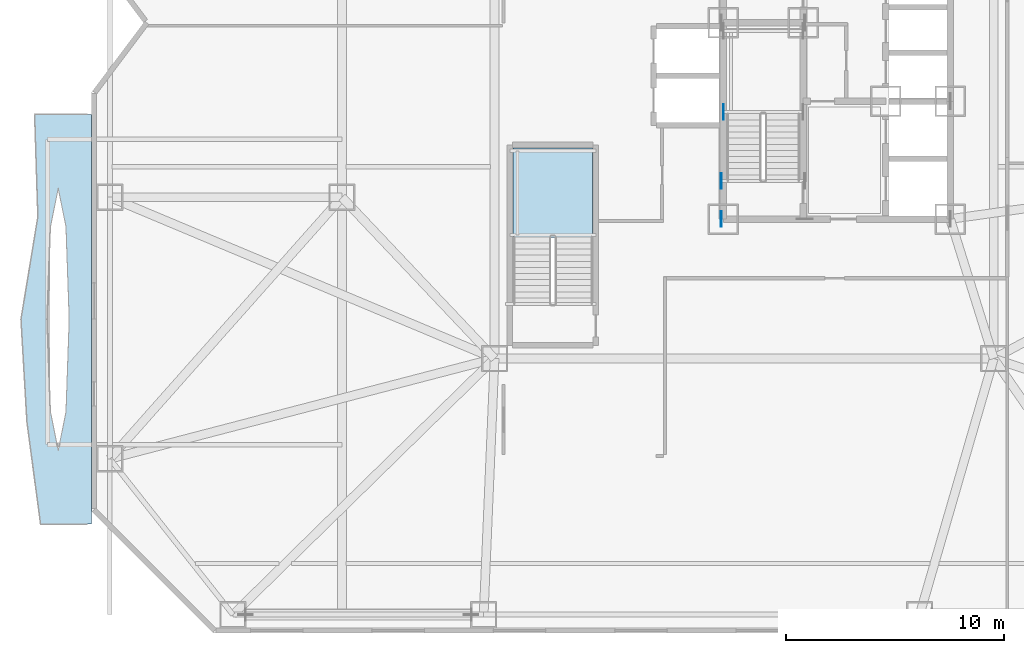
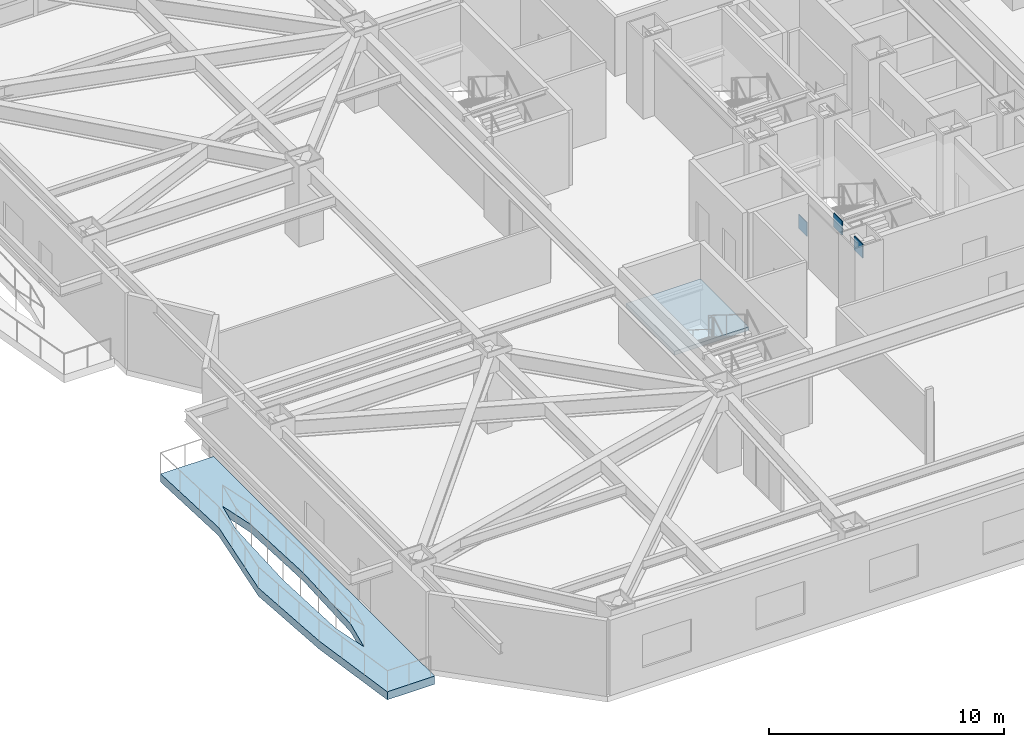
# One storey, part 9 of 25: 3 plates, 2 slabs, 1 element without a shape of its own.
"""IFC4 building model written with IfcOpenShell, lengths in metres."""

import ifcopenshell
import ifcopenshell.guid

model = None  # the IFC model being written
_history = None  # IfcOwnerHistory: only IFC2X3 demands one
_inside = {}  # id of a spatial element -> (the spatial element, [elements in it])
_under = {}  # id of a project, library or spatial element -> (it, [spatial elements below it])
_declared = {}  # id of a project -> (the project, [libraries it declares])
_typed = {}  # id of a type object -> (the type object, [elements of that type])
_made_of = {}  # id of a material, layer set ... -> (it, [elements and type objects made of it])


def new_model(schema):
    """Start an empty IFC model of exactly this schema.

    Asked for "IFC4X3", IfcOpenShell would pick the latest addendum, in which some entities
    have other attributes; the version numbers below select the first issue.
    IFC2X3 requires an IfcOwnerHistory on every rooted entity: one is made here for all.
    """
    global model, _history
    if schema == "IFC4X3":
        model = ifcopenshell.file(schema_version=(4, 3, 0, 0))
    else:
        model = ifcopenshell.file(schema=schema)
    _inside.clear()
    _under.clear()
    _declared.clear()
    _typed.clear()
    _made_of.clear()
    _history = None
    if model.schema == "IFC2X3":
        org = make("IfcOrganization", Name="unknown")
        user = make(
            "IfcPersonAndOrganization",
            ThePerson=make("IfcPerson", FamilyName="unknown"),
            TheOrganization=org,
        )
        app = make(
            "IfcApplication",
            ApplicationDeveloper=org,
            Version="unknown",
            ApplicationFullName="unknown",
            ApplicationIdentifier="unknown",
        )
        _history = make(
            "IfcOwnerHistory",
            OwningUser=user,
            OwningApplication=app,
            ChangeAction="ADDED",
            CreationDate=0,
        )
    return model


def make(cls, **values):
    """One entity of the class cls with the attributes given. An attribute that is None is left unset."""
    return model.create_entity(
        cls, **{name: value for name, value in values.items() if value is not None}
    )


def rooted(cls, **values):
    """An entity with a GlobalId (a new one), such as an element, a storey or a relation."""
    return make(cls, GlobalId=ifcopenshell.guid.new(), OwnerHistory=_history, **values)


def si_unit(unit_type, name, prefix=None):
    """IfcSIUnit, for example si_unit("LENGTHUNIT", "METRE", prefix="MILLI")."""
    return make("IfcSIUnit", UnitType=unit_type, Prefix=prefix, Name=name)


def assignment(units):
    """IfcUnitAssignment: the units of a project."""
    return None if units is None else make("IfcUnitAssignment", Units=units)


def point(xyz):
    """IfcCartesianPoint."""
    return None if xyz is None else make("IfcCartesianPoint", Coordinates=xyz)


def direction(xyz):
    """IfcDirection."""
    return None if xyz is None else make("IfcDirection", DirectionRatios=xyz)


def frame(location, z_axis=None, x_axis=None):
    """IfcAxis2Placement3D, a coordinate frame: its origin and axes. An axis left out is left unset."""
    return make(
        "IfcAxis2Placement3D",
        Location=point(location),
        Axis=direction(z_axis),
        RefDirection=direction(x_axis),
    )


def frame_2d(location, x_axis=None):
    """IfcAxis2Placement2D, a coordinate frame in the plane: its origin and x axis."""
    return make(
        "IfcAxis2Placement2D", Location=point(location), RefDirection=direction(x_axis)
    )


def origin():
    """The frame at (0, 0, 0) with its axes left unset."""
    return frame((0.0, 0.0, 0.0))


def origin_2d():
    """The frame at (0, 0) in the plane with its x axis left unset."""
    return frame_2d((0.0, 0.0))


def place(relative_to, where):
    """IfcLocalPlacement: puts the frame where relative to a parent placement (None: the world)."""
    return make(
        "IfcLocalPlacement", PlacementRelTo=relative_to, RelativePlacement=where
    )


def context(
    kind, dimensions, precision=None, world=None, true_north=None, identifier=None
):
    """IfcGeometricRepresentationContext, for example the 3D "Model" context."""
    return make(
        "IfcGeometricRepresentationContext",
        ContextIdentifier=identifier,
        ContextType=kind,
        CoordinateSpaceDimension=dimensions,
        Precision=precision,
        WorldCoordinateSystem=world,
        TrueNorth=true_north,
    )


def subcontext(parent, identifier, kind, view, scale=None):
    """IfcGeometricRepresentationSubContext, for example "Body" below "Model"."""
    return make(
        "IfcGeometricRepresentationSubContext",
        ContextIdentifier=identifier,
        ContextType=kind,
        ParentContext=parent,
        TargetScale=scale,
        TargetView=view,
    )


def project(units=None, contexts=None):
    """IfcProject with its units and contexts."""
    return rooted(
        "IfcProject",
        Name="project",
        RepresentationContexts=contexts,
        UnitsInContext=assignment(units),
    )


def spatial(cls, under=None, at=None, **own):
    """A site, building, storey or space (cls), placed at a placement, below another one or the project."""
    s = rooted(cls, ObjectPlacement=at, **own)
    if under is not None:
        _under.setdefault(under.id(), (under, []))[1].append(s)
    return s


def polyline(points):
    """IfcPolyline through the points."""
    return make("IfcPolyline", Points=[point(p) for p in points])


def profile(cls, at=None, kind="AREA", **sizes):
    """A parametric profile (cls). Its sizes go by their IFC names, for example OverallWidth=200.0."""
    return make(cls, ProfileType=kind, Position=at, **sizes)


def rectangle(**sizes):
    """IfcRectangleProfileDef."""
    return profile("IfcRectangleProfileDef", **sizes)


def outline(outer, holes=None, kind="AREA"):
    """IfcArbitraryClosedProfileDef: a profile drawn as a closed curve; with holes, ...WithVoids."""
    if holes is None:
        return make("IfcArbitraryClosedProfileDef", ProfileType=kind, OuterCurve=outer)
    return make(
        "IfcArbitraryProfileDefWithVoids",
        ProfileType=kind,
        OuterCurve=outer,
        InnerCurves=holes,
    )


def extrude(swept, where, along, depth):
    """IfcExtrudedAreaSolid: the profile swept, set in the frame where, extruded along a direction by depth."""
    return make(
        "IfcExtrudedAreaSolid",
        SweptArea=swept,
        Position=where,
        ExtrudedDirection=direction(along),
        Depth=depth,
    )


def shape(context_of_items, identifier, shape_type, items):
    """IfcShapeRepresentation: the items that make up one representation, for example the "Body"."""
    return make(
        "IfcShapeRepresentation",
        ContextOfItems=context_of_items,
        RepresentationIdentifier=identifier,
        RepresentationType=shape_type,
        Items=items,
    )


def material(Name=None, Category=None):
    """IfcMaterial."""
    return make("IfcMaterial", Name=Name, Category=Category)


def layer(
    of_material, thickness, ventilated=None, Name=None, Category=None, Priority=None
):
    """IfcMaterialLayer: one layer of a wall or slab, of a material (None: an air gap)."""
    return make(
        "IfcMaterialLayer",
        Material=of_material,
        LayerThickness=thickness,
        IsVentilated=ventilated,
        Name=Name,
        Category=Category,
        Priority=Priority,
    )


def layer_set(layers, Name=None):
    """IfcMaterialLayerSet."""
    return make("IfcMaterialLayerSet", MaterialLayers=layers, LayerSetName=Name)


def made_of(thing, what):
    """Note that an element or type object is made of a material, layer set ...; save() writes the relation."""
    if what is not None:
        _made_of.setdefault(what.id(), (what, []))[1].append(thing)
    return thing


def type_object(cls, material=None, **own):
    """A type object (cls), such as IfcWallType, which elements share."""
    return made_of(rooted(cls, **own), material)


def element(
    cls,
    number,
    at=None,
    inside=None,
    cuts=None,
    type_object=None,
    material=None,
    context=None,
    identifier="Body",
    shape_type=None,
    held_by="IfcProductDefinitionShape",
    body=None,
    shapes=None,
    **own,
):
    """One element of the class cls, such as IfcWall. Its Tag is "e" and its number.

    at: its placement. inside: the storey or other place that contains it. cuts: it is an
    opening in that element (IfcRelVoidsElement). A single representation is given by context,
    identifier, shape_type and body (its items); several are given by shapes. held_by: the class
    of the entity that holds the representations. save() writes the other relations.
    """
    e = rooted(cls, Tag="e%d" % number, ObjectPlacement=at, **own)
    if body is not None:
        shapes = [shape(context, identifier, shape_type, body)]
    if shapes is not None:
        e.Representation = make(held_by, Representations=shapes)
    if inside is not None:
        _inside.setdefault(inside.id(), (inside, []))[1].append(e)
    if cuts is not None:
        rooted(
            "IfcRelVoidsElement", RelatingBuildingElement=cuts, RelatedOpeningElement=e
        )
    if type_object is not None:
        _typed.setdefault(type_object.id(), (type_object, []))[1].append(e)
    return made_of(e, material)


def aggregate(whole, parts):
    """IfcRelAggregates: a whole, such as a stair, and the parts it consists of."""
    return rooted("IfcRelAggregates", RelatingObject=whole, RelatedObjects=parts)


def save(model, path):
    """Write the relations noted so far, then the file.

    IfcRelAggregates (storeys below a building ...), IfcRelContainedInSpatialStructure (elements
    in a storey), IfcRelDefinesByType, IfcRelAssociatesMaterial and IfcRelDeclares: one each for
    every whole, place, type object, material and project.
    """
    for whole, parts in _under.values():
        aggregate(whole, parts)
    for where, things in _inside.values():
        rooted(
            "IfcRelContainedInSpatialStructure",
            RelatedElements=things,
            RelatingStructure=where,
        )
    for kind, things in _typed.values():
        rooted("IfcRelDefinesByType", RelatedObjects=things, RelatingType=kind)
    for what, things in _made_of.values():
        rooted("IfcRelAssociatesMaterial", RelatedObjects=things, RelatingMaterial=what)
    for by, libraries in _declared.values():
        rooted("IfcRelDeclares", RelatingContext=by, RelatedDefinitions=libraries)
    model.write(path)


model = new_model("IFC4")

# Units and contexts
model_context = context("Model", 3, precision=1e-05, world=origin(), true_north=direction((0.0, 1.0)))
body_context = subcontext(model_context, "Body", "Model", "MODEL_VIEW")
ifc_project = project(units=[si_unit("LENGTHUNIT", "METRE"), si_unit("AREAUNIT", "SQUARE_METRE"), si_unit("VOLUMEUNIT", "CUBIC_METRE"), si_unit("PLANEANGLEUNIT", "RADIAN"), si_unit("MASSUNIT", "GRAM", prefix="KILO")], contexts=[model_context])

# Site, building, storey
site_placement = place(None, origin())
site = spatial("IfcSite", under=ifc_project, at=site_placement, CompositionType="ELEMENT")
building_placement = place(site_placement, origin())
building = spatial("IfcBuilding", under=site, at=building_placement, Name="Khamvora Tower", CompositionType="ELEMENT")
storey_placement = place(building_placement, frame((0.0, 0.0, 16.199951171875)))
storey = spatial("IfcBuildingStorey", under=building, at=storey_placement, Name="L03", CompositionType="ELEMENT", Elevation=16.199951171875)

# Plates
ifc_material_1 = material(Name="Steel S460", Category="steel")
ifc_layer_1 = layer(ifc_material_1, 0.034912109375)
ifc_layer_set_1 = layer_set([ifc_layer_1], Name="Steel S460")
plate_type = type_object("IfcPlateType", Name="PL-EMB-35", PredefinedType="SHEET", material=ifc_layer_set_1)
for number, where, z_axis, x_axis, name in (
    (1, (29.0, 23.9150390625, 1.4091796875), (0.0, 0.0, 1.0), (1.0, 0.0, 0.0), "L03 core shear wall cast-in embed plate 0127"),
    (2, (28.89990234375, 19.0, 3.2939453125), (0.0, 0.0, 1.0), (1.0, 0.0, 0.0), "L03 core shear wall cast-in embed plate 0138"),
    (3, (28.89990234375, 20.75, 3.43408203125), (0.0, 0.0, 1.0), (1.0, 0.0, 0.0), "L03 core shear wall cast-in embed plate 0147"),
):
    element("IfcPlate", number, at=place(storey_placement, frame(where, z_axis=z_axis, x_axis=x_axis)), inside=storey, type_object=plate_type, Name=name, PredefinedType="SHEET", context=body_context, shape_type="SweptSolid", body=[
        extrude(rectangle(XDim=0.034912109375, YDim=0.719970703125, at=origin_2d()), origin(), (0.0, 0.0, 1.0), 0.719970703125),
    ])

# Slab
ifc_material_2 = material(Name="Concrete C40/50", Category="concrete")
ifc_layer_2 = layer(ifc_material_2, 0.419921875)
ifc_layer_set_2 = layer_set([ifc_layer_2], Name="Concrete C40/50")
slab_type_1 = type_object("IfcSlabType", Name="SLB-GRD-420", PredefinedType="FLOOR", material=ifc_layer_set_2)
slab_1_placement = place(storey_placement, frame((0.0, 0.0, -0.419921875)))
element("IfcSlab", 4, at=slab_1_placement, inside=storey, type_object=slab_type_1, Name="L03 external lens gallery slab WL1", PredefinedType="FLOOR", context=body_context, shape_type="SweptSolid", body=[
    extrude(outline(polyline([(0.0, 5.0), (0.0, 23.800048828125), (-2.597900390625, 23.800048828125), (-2.449951171875, 19.10009765625), (-3.22412109375, 14.39990234375), (-2.951904296875, 9.699951171875), (-2.324951171875, 5.0), (0.0, 5.0)]), holes=[polyline([(-1.010986328125, 14.39990234375), (-1.158935546875, 18.654052734375), (-1.514892578125, 20.416015625), (-1.87109375, 18.654052734375), (-2.01904296875, 14.39990234375), (-1.87109375, 10.14599609375), (-1.514892578125, 8.384033203125), (-1.158935546875, 10.14599609375), (-1.010986328125, 14.39990234375)])]), origin(), (0.0, 0.0, 1.0), 0.419921875),
])

# Stair, slab
stair_type = type_object("IfcStairType", Name="STR-ST-03", PredefinedType="HALF_TURN_STAIR", material=ifc_material_2)
stair_placement = place(storey_placement, origin())
stair = element("IfcStair", 5, at=stair_placement, inside=storey, type_object=stair_type, Name="L03 South School Podium Stair ST-03", PredefinedType="HALF_TURN_STAIR")
ifc_layer_3 = layer(ifc_material_2, 0.199951171875)
ifc_layer_set_3 = layer_set([ifc_layer_3], Name="Concrete C40/50")
slab_type_2 = type_object("IfcSlabType", Name="SLB-LND-200", PredefinedType="LANDING", material=ifc_layer_set_3)
slab_2_placement = place(storey_placement, frame((0.0, 0.0, 1.900146484375)))
slab_2 = element("IfcSlab", 6, at=slab_2_placement, type_object=slab_type_2, Name="ST-03 landing 1", PredefinedType="LANDING", context=body_context, shape_type="SweptSolid", body=[
    extrude(outline(polyline([(23.0, 18.14501953125), (23.0, 22.25), (19.35009765625, 22.25), (19.35009765625, 18.14501953125), (23.0, 18.14501953125)])), origin(), (0.0, 0.0, 1.0), 0.199951171875),
])
aggregate(stair, [slab_2])

save(model, "model.ifc")
